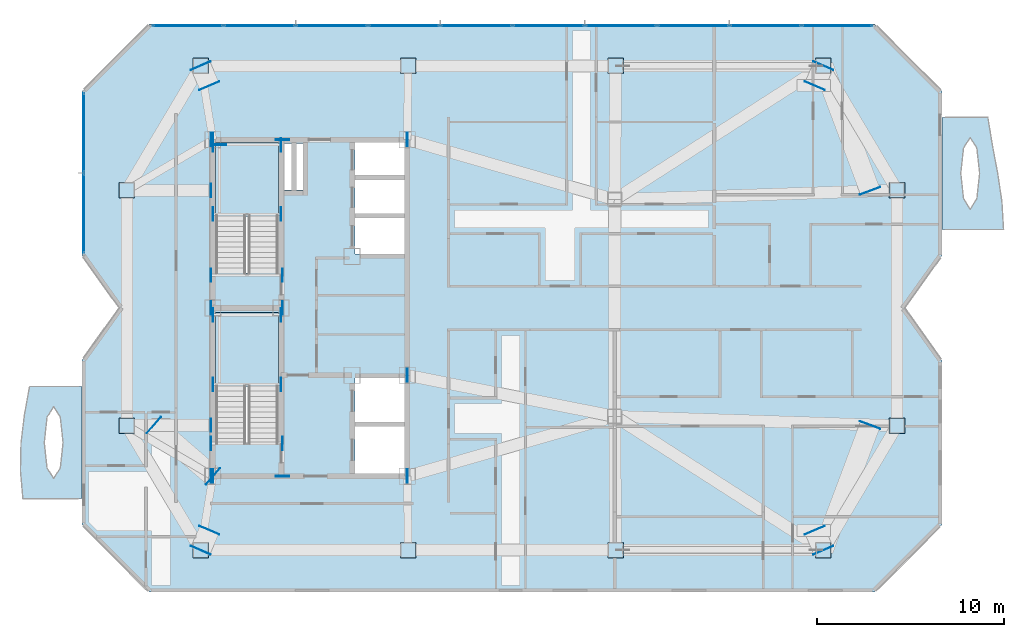
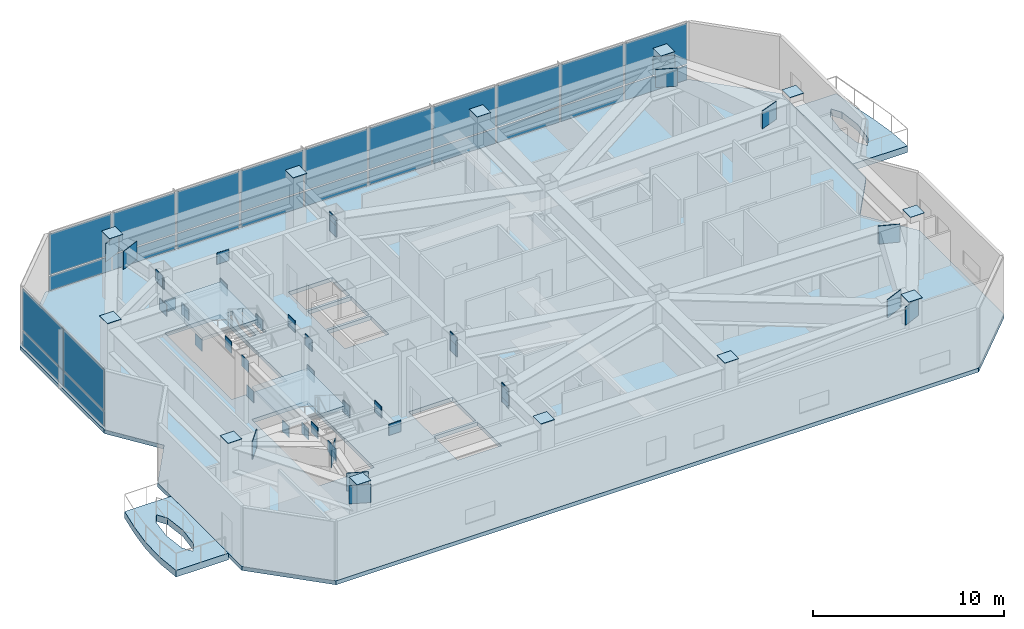
# One storey, part 7 of 16: 80 plates, 5 slabs, 4 elements without a shape of their own.
"""IFC4 building model written with IfcOpenShell, lengths in metres."""

from ifc_helpers import new_model, si_unit, direction, frame, origin, origin_2d, place, context, subcontext, project, spatial, polyline, rectangle, outline, extrude, material, layer, layer_set, type_object, element, aggregate, save


model = new_model("IFC4")

# Units and contexts
model_context = context("Model", 3, precision=1e-05, world=origin(), true_north=direction((0.0, 1.0)))
body_context = subcontext(model_context, "Body", "Model", "MODEL_VIEW")
ifc_project = project(units=[si_unit("LENGTHUNIT", "METRE"), si_unit("AREAUNIT", "SQUARE_METRE"), si_unit("VOLUMEUNIT", "CUBIC_METRE"), si_unit("PLANEANGLEUNIT", "RADIAN"), si_unit("MASSUNIT", "GRAM", prefix="KILO")], contexts=[model_context])

# Site, building, storey
site_placement = place(None, origin())
site = spatial("IfcSite", under=ifc_project, at=site_placement, CompositionType="ELEMENT")
building_placement = place(site_placement, origin())
building = spatial("IfcBuilding", under=site, at=building_placement, Name="Khamvora Tower", CompositionType="ELEMENT")
storey_placement = place(building_placement, frame((0.0, 0.0, 273.64990234375)))
storey = spatial("IfcBuildingStorey", under=building, at=storey_placement, Name="L70", CompositionType="ELEMENT", Elevation=273.64990234375)

# Curtain wall, plates
ifc_material_1 = material(Name="Anodised Aluminium 6063-T6", Category="aluminium")
curtain_wall_type = type_object("IfcCurtainWallType", Name="CW-SYS-06", PredefinedType="NOTDEFINED", material=ifc_material_1)
curtain_wall_1_placement = place(storey_placement, origin())
curtain_wall_1 = element("IfcCurtainWall", 1, at=curtain_wall_1_placement, inside=storey, type_object=curtain_wall_type, Name="L70 stick curtain wall 05.1", PredefinedType="NOTDEFINED")
ifc_material_2 = material(Name="Low-E Laminated Double Glazing", Category="glass")
ifc_layer_1 = layer(ifc_material_2, 0.0380859375)
ifc_layer_set_1 = layer_set([ifc_layer_1], Name="Low-E Laminated Double Glazing")
plate_type_1 = type_object("IfcPlateType", Name="CW-SYS-06-PNL", PredefinedType="CURTAIN_PANEL", material=ifc_layer_set_1)
plate_1_placement = place(storey_placement, frame((22.10009765625, 33.0712890625, 0.080078125), z_axis=(0.0, 0.0, 1.0), x_axis=(0.0, 1.0, 0.0)))
plate_1 = element("IfcPlate", 2, at=plate_1_placement, type_object=plate_type_1, Name="CW-06 panel 1.1", PredefinedType="CURTAIN_PANEL", context=body_context, shape_type="SweptSolid", body=[
    extrude(rectangle(XDim=4.218505859375, YDim=0.0380859375, at=origin_2d()), origin(), (0.0, 0.0, 1.0), 0.929931640625),
])
plate_2_placement = place(storey_placement, frame((22.10009765625, 33.0712890625, 1.08984375), z_axis=(0.0, 0.0, 1.0), x_axis=(0.0, 1.0, 0.0)))
plate_2 = element("IfcPlate", 3, at=plate_2_placement, type_object=plate_type_1, Name="CW-06 panel 1.2", PredefinedType="CURTAIN_PANEL", context=body_context, shape_type="SweptSolid", body=[
    extrude(rectangle(XDim=4.218505859375, YDim=0.0380859375, at=origin_2d()), origin(), (0.0, 0.0, 1.0), 2.610107421875),
])
plate_3_placement = place(storey_placement, frame((22.10009765625, 37.36962890625, 0.080078125), z_axis=(0.0, 0.0, 1.0), x_axis=(0.0, 1.0, 0.0)))
plate_3 = element("IfcPlate", 4, at=plate_3_placement, type_object=plate_type_1, Name="CW-06 panel 2.1", PredefinedType="CURTAIN_PANEL", context=body_context, shape_type="SweptSolid", body=[
    extrude(rectangle(XDim=4.218505859375, YDim=0.0380859375, at=origin_2d()), origin(), (0.0, 0.0, 1.0), 0.929931640625),
])
plate_4_placement = place(storey_placement, frame((22.10009765625, 37.36962890625, 1.08984375), z_axis=(0.0, 0.0, 1.0), x_axis=(0.0, 1.0, 0.0)))
plate_4 = element("IfcPlate", 5, at=plate_4_placement, type_object=plate_type_1, Name="CW-06 panel 2.2", PredefinedType="CURTAIN_PANEL", context=body_context, shape_type="SweptSolid", body=[
    extrude(rectangle(XDim=4.218505859375, YDim=0.0380859375, at=origin_2d()), origin(), (0.0, 0.0, 1.0), 2.610107421875),
])
aggregate(curtain_wall_1, [plate_1, plate_2, plate_3, plate_4])

curtain_wall_2_placement = place(storey_placement, origin())
curtain_wall_2 = element("IfcCurtainWall", 6, at=curtain_wall_2_placement, inside=storey, type_object=curtain_wall_type, Name="L70 stick curtain wall 07.1", PredefinedType="NOTDEFINED")
plate_5_placement = place(storey_placement, frame((27.65478515625, 43.10009765625, 0.080078125), z_axis=(0.0, 0.0, 1.0), x_axis=(1.0, 0.0, 0.0)))
plate_5 = element("IfcPlate", 7, at=plate_5_placement, type_object=plate_type_1, Name="CW-06 panel 1.1", PredefinedType="CURTAIN_PANEL", context=body_context, shape_type="SweptSolid", body=[
    extrude(rectangle(XDim=3.74560546875, YDim=0.0380859375, at=origin_2d()), origin(), (0.0, 0.0, 1.0), 0.929931640625),
])
plate_6_placement = place(storey_placement, frame((27.65478515625, 43.10009765625, 1.08984375), z_axis=(0.0, 0.0, 1.0), x_axis=(1.0, 0.0, 0.0)))
plate_6 = element("IfcPlate", 8, at=plate_6_placement, type_object=plate_type_1, Name="CW-06 panel 1.2", PredefinedType="CURTAIN_PANEL", context=body_context, shape_type="SweptSolid", body=[
    extrude(rectangle(XDim=3.74560546875, YDim=0.0380859375, at=origin_2d()), origin(), (0.0, 0.0, 1.0), 2.610107421875),
])
plate_7_placement = place(storey_placement, frame((31.50048828125, 43.10009765625, 0.080078125), z_axis=(0.0, 0.0, 1.0), x_axis=(1.0, 0.0, 0.0)))
plate_7 = element("IfcPlate", 9, at=plate_7_placement, type_object=plate_type_1, Name="CW-06 panel 2.1", PredefinedType="CURTAIN_PANEL", context=body_context, shape_type="SweptSolid", body=[
    extrude(rectangle(XDim=3.78564453125, YDim=0.0380859375, at=origin_2d()), origin(), (0.0, 0.0, 1.0), 0.929931640625),
])
plate_8_placement = place(storey_placement, frame((31.50048828125, 43.10009765625, 1.08984375), z_axis=(0.0, 0.0, 1.0), x_axis=(1.0, 0.0, 0.0)))
plate_8 = element("IfcPlate", 10, at=plate_8_placement, type_object=plate_type_1, Name="CW-06 panel 2.2", PredefinedType="CURTAIN_PANEL", context=body_context, shape_type="SweptSolid", body=[
    extrude(rectangle(XDim=3.78564453125, YDim=0.0380859375, at=origin_2d()), origin(), (0.0, 0.0, 1.0), 2.610107421875),
])
plate_9_placement = place(storey_placement, frame((35.3662109375, 43.10009765625, 0.080078125), z_axis=(0.0, 0.0, 1.0), x_axis=(1.0, 0.0, 0.0)))
plate_9 = element("IfcPlate", 11, at=plate_9_placement, type_object=plate_type_1, Name="CW-06 panel 3.1", PredefinedType="CURTAIN_PANEL", context=body_context, shape_type="SweptSolid", body=[
    extrude(rectangle(XDim=3.78564453125, YDim=0.0380859375, at=origin_2d()), origin(), (0.0, 0.0, 1.0), 0.929931640625),
])
plate_10_placement = place(storey_placement, frame((35.3662109375, 43.10009765625, 1.08984375), z_axis=(0.0, 0.0, 1.0), x_axis=(1.0, 0.0, 0.0)))
plate_10 = element("IfcPlate", 12, at=plate_10_placement, type_object=plate_type_1, Name="CW-06 panel 3.2", PredefinedType="CURTAIN_PANEL", context=body_context, shape_type="SweptSolid", body=[
    extrude(rectangle(XDim=3.78564453125, YDim=0.0380859375, at=origin_2d()), origin(), (0.0, 0.0, 1.0), 2.610107421875),
])
plate_11_placement = place(storey_placement, frame((39.23193359375, 43.10009765625, 0.080078125), z_axis=(0.0, 0.0, 1.0), x_axis=(1.0, 0.0, 0.0)))
plate_11 = element("IfcPlate", 13, at=plate_11_placement, type_object=plate_type_1, Name="CW-06 panel 4.1", PredefinedType="CURTAIN_PANEL", context=body_context, shape_type="SweptSolid", body=[
    extrude(rectangle(XDim=3.78564453125, YDim=0.0380859375, at=origin_2d()), origin(), (0.0, 0.0, 1.0), 0.929931640625),
])
plate_12_placement = place(storey_placement, frame((39.23193359375, 43.10009765625, 1.08984375), z_axis=(0.0, 0.0, 1.0), x_axis=(1.0, 0.0, 0.0)))
plate_12 = element("IfcPlate", 14, at=plate_12_placement, type_object=plate_type_1, Name="CW-06 panel 4.2", PredefinedType="CURTAIN_PANEL", context=body_context, shape_type="SweptSolid", body=[
    extrude(rectangle(XDim=3.78564453125, YDim=0.0380859375, at=origin_2d()), origin(), (0.0, 0.0, 1.0), 2.610107421875),
])
plate_13_placement = place(storey_placement, frame((43.09765625, 43.10009765625, 0.080078125), z_axis=(0.0, 0.0, 1.0), x_axis=(1.0, 0.0, 0.0)))
plate_13 = element("IfcPlate", 15, at=plate_13_placement, type_object=plate_type_1, Name="CW-06 panel 5.1", PredefinedType="CURTAIN_PANEL", context=body_context, shape_type="SweptSolid", body=[
    extrude(rectangle(XDim=3.78564453125, YDim=0.0380859375, at=origin_2d()), origin(), (0.0, 0.0, 1.0), 0.929931640625),
])
plate_14_placement = place(storey_placement, frame((43.09765625, 43.10009765625, 1.08984375), z_axis=(0.0, 0.0, 1.0), x_axis=(1.0, 0.0, 0.0)))
plate_14 = element("IfcPlate", 16, at=plate_14_placement, type_object=plate_type_1, Name="CW-06 panel 5.2", PredefinedType="CURTAIN_PANEL", context=body_context, shape_type="SweptSolid", body=[
    extrude(rectangle(XDim=3.78564453125, YDim=0.0380859375, at=origin_2d()), origin(), (0.0, 0.0, 1.0), 2.610107421875),
])
plate_15_placement = place(storey_placement, frame((46.96337890625, 43.10009765625, 0.080078125), z_axis=(0.0, 0.0, 1.0), x_axis=(1.0, 0.0, 0.0)))
plate_15 = element("IfcPlate", 17, at=plate_15_placement, type_object=plate_type_1, Name="CW-06 panel 6.1", PredefinedType="CURTAIN_PANEL", context=body_context, shape_type="SweptSolid", body=[
    extrude(rectangle(XDim=3.78564453125, YDim=0.0380859375, at=origin_2d()), origin(), (0.0, 0.0, 1.0), 0.929931640625),
])
plate_16_placement = place(storey_placement, frame((46.96337890625, 43.10009765625, 1.08984375), z_axis=(0.0, 0.0, 1.0), x_axis=(1.0, 0.0, 0.0)))
plate_16 = element("IfcPlate", 18, at=plate_16_placement, type_object=plate_type_1, Name="CW-06 panel 6.2", PredefinedType="CURTAIN_PANEL", context=body_context, shape_type="SweptSolid", body=[
    extrude(rectangle(XDim=3.78564453125, YDim=0.0380859375, at=origin_2d()), origin(), (0.0, 0.0, 1.0), 2.610107421875),
])
plate_17_placement = place(storey_placement, frame((50.8291015625, 43.10009765625, 0.080078125), z_axis=(0.0, 0.0, 1.0), x_axis=(1.0, 0.0, 0.0)))
plate_17 = element("IfcPlate", 19, at=plate_17_placement, type_object=plate_type_1, Name="CW-06 panel 7.1", PredefinedType="CURTAIN_PANEL", context=body_context, shape_type="SweptSolid", body=[
    extrude(rectangle(XDim=3.78564453125, YDim=0.0380859375, at=origin_2d()), origin(), (0.0, 0.0, 1.0), 0.929931640625),
])
plate_18_placement = place(storey_placement, frame((50.8291015625, 43.10009765625, 1.08984375), z_axis=(0.0, 0.0, 1.0), x_axis=(1.0, 0.0, 0.0)))
plate_18 = element("IfcPlate", 20, at=plate_18_placement, type_object=plate_type_1, Name="CW-06 panel 7.2", PredefinedType="CURTAIN_PANEL", context=body_context, shape_type="SweptSolid", body=[
    extrude(rectangle(XDim=3.78564453125, YDim=0.0380859375, at=origin_2d()), origin(), (0.0, 0.0, 1.0), 2.610107421875),
])
plate_19_placement = place(storey_placement, frame((54.69482421875, 43.10009765625, 0.080078125), z_axis=(0.0, 0.0, 1.0), x_axis=(1.0, 0.0, 0.0)))
plate_19 = element("IfcPlate", 21, at=plate_19_placement, type_object=plate_type_1, Name="CW-06 panel 8.1", PredefinedType="CURTAIN_PANEL", context=body_context, shape_type="SweptSolid", body=[
    extrude(rectangle(XDim=3.78564453125, YDim=0.0380859375, at=origin_2d()), origin(), (0.0, 0.0, 1.0), 0.929931640625),
])
plate_20_placement = place(storey_placement, frame((54.69482421875, 43.10009765625, 1.08984375), z_axis=(0.0, 0.0, 1.0), x_axis=(1.0, 0.0, 0.0)))
plate_20 = element("IfcPlate", 22, at=plate_20_placement, type_object=plate_type_1, Name="CW-06 panel 8.2", PredefinedType="CURTAIN_PANEL", context=body_context, shape_type="SweptSolid", body=[
    extrude(rectangle(XDim=3.78564453125, YDim=0.0380859375, at=origin_2d()), origin(), (0.0, 0.0, 1.0), 2.610107421875),
])
plate_21_placement = place(storey_placement, frame((58.560546875, 43.10009765625, 0.080078125), z_axis=(0.0, 0.0, 1.0), x_axis=(1.0, 0.0, 0.0)))
plate_21 = element("IfcPlate", 23, at=plate_21_placement, type_object=plate_type_1, Name="CW-06 panel 9.1", PredefinedType="CURTAIN_PANEL", context=body_context, shape_type="SweptSolid", body=[
    extrude(rectangle(XDim=3.78564453125, YDim=0.0380859375, at=origin_2d()), origin(), (0.0, 0.0, 1.0), 0.929931640625),
])
plate_22_placement = place(storey_placement, frame((58.560546875, 43.10009765625, 1.08984375), z_axis=(0.0, 0.0, 1.0), x_axis=(1.0, 0.0, 0.0)))
plate_22 = element("IfcPlate", 24, at=plate_22_placement, type_object=plate_type_1, Name="CW-06 panel 9.2", PredefinedType="CURTAIN_PANEL", context=body_context, shape_type="SweptSolid", body=[
    extrude(rectangle(XDim=3.78564453125, YDim=0.0380859375, at=origin_2d()), origin(), (0.0, 0.0, 1.0), 2.610107421875),
])
plate_23_placement = place(storey_placement, frame((62.40625, 43.10009765625, 0.080078125), z_axis=(0.0, 0.0, 1.0), x_axis=(1.0, 0.0, 0.0)))
plate_23 = element("IfcPlate", 25, at=plate_23_placement, type_object=plate_type_1, Name="CW-06 panel 10.1", PredefinedType="CURTAIN_PANEL", context=body_context, shape_type="SweptSolid", body=[
    extrude(rectangle(XDim=3.74560546875, YDim=0.0380859375, at=origin_2d()), origin(), (0.0, 0.0, 1.0), 0.929931640625),
])
plate_24_placement = place(storey_placement, frame((62.40625, 43.10009765625, 1.08984375), z_axis=(0.0, 0.0, 1.0), x_axis=(1.0, 0.0, 0.0)))
plate_24 = element("IfcPlate", 26, at=plate_24_placement, type_object=plate_type_1, Name="CW-06 panel 10.2", PredefinedType="CURTAIN_PANEL", context=body_context, shape_type="SweptSolid", body=[
    extrude(rectangle(XDim=3.74560546875, YDim=0.0380859375, at=origin_2d()), origin(), (0.0, 0.0, 1.0), 2.610107421875),
])
aggregate(curtain_wall_2, [plate_5, plate_6, plate_7, plate_8, plate_9, plate_10, plate_11, plate_12, plate_13, plate_14, plate_15, plate_16, plate_17, plate_18, plate_19, plate_20, plate_21, plate_22, plate_23, plate_24])

# Plates
ifc_material_3 = material(Name="Steel S355", Category="steel")
ifc_layer_2 = layer(ifc_material_3, 0.02490234375)
ifc_layer_set_2 = layer_set([ifc_layer_2], Name="Steel S355")
plate_type_2 = type_object("IfcPlateType", Name="PL-CAP-25", PredefinedType="SHEET", material=ifc_layer_set_2)
for number, where, z_axis, x_axis, name in (
    (27, (28.35009765625, 15.050048828125, 4.175537109375), (0.0, 0.0, 1.0), (1.0, 0.0, 0.0), "L70 hollow section steel end cap plate 0259"),
    (28, (39.449951171875, 15.050048828125, 4.175537109375), (0.0, 0.0, 1.0), (1.0, 0.0, 0.0), "L70 hollow section steel end cap plate 0261"),
    (29, (50.550048828125, 15.050048828125, 4.175537109375), (0.0, 0.0, 1.0), (1.0, 0.0, 0.0), "L70 hollow section steel end cap plate 0263"),
    (30, (61.64990234375, 15.050048828125, 4.175537109375), (0.0, 0.0, 1.0), (1.0, 0.0, 0.0), "L70 hollow section steel end cap plate 0265"),
    (31, (28.35009765625, 40.949951171875, 4.175537109375), (0.0, 0.0, 1.0), (1.0, 0.0, 0.0), "L70 hollow section steel end cap plate 0267"),
    (32, (39.449951171875, 40.949951171875, 4.175537109375), (0.0, 0.0, 1.0), (1.0, 0.0, 0.0), "L70 hollow section steel end cap plate 0269"),
    (33, (50.550048828125, 40.949951171875, 4.175537109375), (0.0, 0.0, 1.0), (1.0, 0.0, 0.0), "L70 hollow section steel end cap plate 0271"),
    (34, (61.64990234375, 40.949951171875, 4.175537109375), (0.0, 0.0, 1.0), (1.0, 0.0, 0.0), "L70 hollow section steel end cap plate 0273"),
    (35, (24.39990234375, 21.699951171875, 4.175537109375), (0.0, 0.0, 1.0), (1.0, 0.0, 0.0), "L70 hollow section steel end cap plate 0275"),
    (36, (24.39990234375, 34.300048828125, 4.175537109375), (0.0, 0.0, 1.0), (1.0, 0.0, 0.0), "L70 hollow section steel end cap plate 0277"),
    (37, (65.60009765625, 21.699951171875, 4.175537109375), (0.0, 0.0, 1.0), (1.0, 0.0, 0.0), "L70 hollow section steel end cap plate 0279"),
    (38, (65.60009765625, 34.300048828125, 4.175537109375), (0.0, 0.0, 1.0), (1.0, 0.0, 0.0), "L70 hollow section steel end cap plate 0281"),
):
    element("IfcPlate", number, at=place(storey_placement, frame(where, z_axis=z_axis, x_axis=x_axis)), inside=storey, type_object=plate_type_2, Name=name, PredefinedType="SHEET", context=body_context, shape_type="SweptSolid", body=[
        extrude(rectangle(XDim=0.830078125, YDim=0.830078125, at=origin_2d()), origin(), (0.0, 0.0, 1.0), 0.02490234375),
    ])
for number, where, z_axis, x_axis, name in (
    (39, (28.344970703125, 15.0390625, 2.64990234375), (0.0, 0.0, 1.0), (0.393925867593, 0.919142214699, 0.0), "L70 hollow section steel end cap plate 1223"),
    (40, (28.804931640625, 16.111083984375, 2.64990234375), (0.0, 0.0, 1.0), (0.393925867593, 0.919142214699, 0.0), "L70 hollow section steel end cap plate 1224"),
    (41, (61.655029296875, 15.0390625, 2.64990234375), (0.0, 0.0, 1.0), (-0.393925867593, 0.919142214699, 0.0), "L70 hollow section steel end cap plate 1225"),
    (42, (61.195068359375, 16.111083984375, 2.64990234375), (0.0, 0.0, 1.0), (-0.393925867593, 0.919142214699, 0.0), "L70 hollow section steel end cap plate 1226"),
    (43, (28.344970703125, 40.9609375, 2.64990234375), (0.0, 0.0, 1.0), (0.393925867593, -0.919142214699, 0.0), "L70 hollow section steel end cap plate 1227"),
    (44, (28.804931640625, 39.888916015625, 2.64990234375), (0.0, 0.0, 1.0), (0.393925867593, -0.919142214699, 0.0), "L70 hollow section steel end cap plate 1228"),
    (45, (61.655029296875, 40.9609375, 2.64990234375), (0.0, 0.0, 1.0), (-0.393925867593, -0.919142214699, 0.0), "L70 hollow section steel end cap plate 1229"),
    (46, (61.195068359375, 39.888916015625, 2.64990234375), (0.0, 0.0, 1.0), (-0.393925867593, -0.919142214699, 0.0), "L70 hollow section steel end cap plate 1230"),
    (47, (29.009033203125, 18.991943359375, 2.64990234375), (0.0, 0.0, 1.0), (-0.75628754345, 0.65423936875, 0.0), "L70 hollow section steel end cap plate 1231"),
    (48, (25.841064453125, 21.73291015625, 2.64990234375), (0.0, 0.0, 1.0), (-0.75628754345, 0.65423936875, 0.0), "L70 hollow section steel end cap plate 1232"),
    (49, (64.154052734375, 21.737060546875, 2.64990234375), (0.0, 0.0, 1.0), (0.350746807595, 0.936470328928, 0.0), "L70 hollow section steel end cap plate 1233"),
    (50, (64.154052734375, 34.262939453125, 2.64990234375), (0.0, 0.0, 1.0), (0.350746807595, -0.936470328928, 0.0), "L70 hollow section steel end cap plate 1234"),
):
    element("IfcPlate", number, at=place(storey_placement, frame(where, z_axis=z_axis, x_axis=x_axis)), inside=storey, type_object=plate_type_2, Name=name, PredefinedType="SHEET", context=body_context, shape_type="SweptSolid", body=[
        extrude(rectangle(XDim=0.02490234375, YDim=1.159912109375, at=origin_2d()), origin(), (0.0, 0.0, 1.0), 1.159912109375),
    ])
ifc_material_4 = material(Name="Steel S460", Category="steel")
ifc_layer_3 = layer(ifc_material_4, 0.034912109375)
ifc_layer_set_3 = layer_set([ifc_layer_3], Name="Steel S460")
plate_type_3 = type_object("IfcPlateType", Name="PL-EMB-35", PredefinedType="SHEET", material=ifc_layer_set_3)
for number, where, z_axis, x_axis, name in (
    (51, (29.0, 23.9150390625, 1.4091796875), (0.0, 0.0, 1.0), (1.0, 0.0, 0.0), "L70 core shear wall cast-in embed plate 2038"),
    (52, (32.64990234375, 23.9150390625, 1.4091796875), (0.0, 0.0, 1.0), (1.0, 0.0, 0.0), "L70 core shear wall cast-in embed plate 2039"),
    (53, (29.0, 27.6298828125, 1.4091796875), (0.0, 0.0, 1.0), (1.0, 0.0, 0.0), "L70 core shear wall cast-in embed plate 2040"),
    (54, (32.64990234375, 27.6298828125, 1.4091796875), (0.0, 0.0, 1.0), (1.0, 0.0, 0.0), "L70 core shear wall cast-in embed plate 2041"),
    (55, (29.0, 33.014892578125, 1.4091796875), (0.0, 0.0, 1.0), (1.0, 0.0, 0.0), "L70 core shear wall cast-in embed plate 2042"),
    (56, (32.64990234375, 33.014892578125, 1.4091796875), (0.0, 0.0, 1.0), (1.0, 0.0, 0.0), "L70 core shear wall cast-in embed plate 2043"),
    (57, (29.0, 36.72998046875, 1.4091796875), (0.0, 0.0, 1.0), (1.0, 0.0, 0.0), "L70 core shear wall cast-in embed plate 2044"),
    (58, (32.64990234375, 36.72998046875, 1.4091796875), (0.0, 0.0, 1.0), (1.0, 0.0, 0.0), "L70 core shear wall cast-in embed plate 2045"),
):
    element("IfcPlate", number, at=place(storey_placement, frame(where, z_axis=z_axis, x_axis=x_axis)), inside=storey, type_object=plate_type_3, Name=name, PredefinedType="SHEET", context=body_context, shape_type="SweptSolid", body=[
        extrude(rectangle(XDim=0.034912109375, YDim=0.719970703125, at=origin_2d()), origin(), (0.0, 0.0, 1.0), 0.719970703125),
    ])
plate_25_placement = place(storey_placement, frame((29.35009765625, 36.72998046875, 1.4091796875), z_axis=(0.0, 0.0, 1.0), x_axis=(1.0, 0.0, 0.0)))
element("IfcPlate", 59, at=plate_25_placement, inside=storey, type_object=plate_type_3, Name="L70 core shear wall cast-in embed plate 2046", PredefinedType="SHEET", context=body_context, shape_type="SweptSolid", body=[
    extrude(rectangle(XDim=0.719970703125, YDim=0.034912109375, at=origin_2d()), origin(), (0.0, 0.0, 1.0), 0.719970703125),
])
for number, where, z_axis, x_axis, name in (
    (60, (29.0, 19.0, 2.9541015625), (0.0, 0.0, 1.0), (1.0, 0.0, 0.0), "L70 core shear wall cast-in embed plate 2047"),
    (61, (39.39990234375, 19.0, 2.9541015625), (0.0, 0.0, 1.0), (1.0, 0.0, 0.0), "L70 core shear wall cast-in embed plate 2048"),
    (62, (29.0, 37.0, 2.9541015625), (0.0, 0.0, 1.0), (1.0, 0.0, 0.0), "L70 core shear wall cast-in embed plate 2049"),
    (63, (39.39990234375, 37.0, 2.9541015625), (0.0, 0.0, 1.0), (1.0, 0.0, 0.0), "L70 core shear wall cast-in embed plate 2050"),
    (64, (39.39990234375, 24.39990234375, 2.64501953125), (0.0, 0.0, 1.0), (1.0, 0.0, 0.0), "L70 core shear wall cast-in embed plate 2051"),
    (65, (39.39990234375, 37.0, 2.64501953125), (0.0, 0.0, 1.0), (1.0, 0.0, 0.0), "L70 core shear wall cast-in embed plate 2052"),
    (66, (28.89990234375, 19.0, 3.1533203125), (0.0, 0.0, 1.0), (1.0, 0.0, 0.0), "L70 core shear wall cast-in embed plate 2053"),
    (67, (28.89990234375, 28.0, 3.1533203125), (0.0, 0.0, 1.0), (1.0, 0.0, 0.0), "L70 core shear wall cast-in embed plate 2054"),
    (68, (28.89990234375, 37.0, 3.1533203125), (0.0, 0.0, 1.0), (1.0, 0.0, 0.0), "L70 core shear wall cast-in embed plate 2055"),
):
    element("IfcPlate", number, at=place(storey_placement, frame(where, z_axis=z_axis, x_axis=x_axis)), inside=storey, type_object=plate_type_3, Name=name, PredefinedType="SHEET", context=body_context, shape_type="SweptSolid", body=[
        extrude(rectangle(XDim=0.034912109375, YDim=0.719970703125, at=origin_2d()), origin(), (0.0, 0.0, 1.0), 0.719970703125),
    ])
plate_26_placement = place(storey_placement, frame((32.72998046875, 19.0, 3.1533203125), z_axis=(0.0, 0.0, 1.0), x_axis=(1.0, 0.0, 0.0)))
element("IfcPlate", 69, at=plate_26_placement, inside=storey, type_object=plate_type_3, Name="L70 core shear wall cast-in embed plate 2056", PredefinedType="SHEET", context=body_context, shape_type="SweptSolid", body=[
    extrude(rectangle(XDim=0.719970703125, YDim=0.034912109375, at=origin_2d()), origin(), (0.0, 0.0, 1.0), 0.719970703125),
])
plate_27_placement = place(storey_placement, frame((32.72998046875, 28.0, 3.1533203125), z_axis=(0.0, 0.0, 1.0), x_axis=(1.0, 0.0, 0.0)))
element("IfcPlate", 70, at=plate_27_placement, inside=storey, type_object=plate_type_3, Name="L70 core shear wall cast-in embed plate 2057", PredefinedType="SHEET", context=body_context, shape_type="SweptSolid", body=[
    extrude(rectangle(XDim=0.034912109375, YDim=0.719970703125, at=origin_2d()), origin(), (0.0, 0.0, 1.0), 0.719970703125),
])
plate_28_placement = place(storey_placement, frame((32.72998046875, 37.0, 3.1533203125), z_axis=(0.0, 0.0, 1.0), x_axis=(1.0, 0.0, 0.0)))
element("IfcPlate", 71, at=plate_28_placement, inside=storey, type_object=plate_type_3, Name="L70 core shear wall cast-in embed plate 2058", PredefinedType="SHEET", context=body_context, shape_type="SweptSolid", body=[
    extrude(rectangle(XDim=0.719970703125, YDim=0.034912109375, at=origin_2d()), origin(), (0.0, 0.0, 1.0), 0.719970703125),
])
for number, where, z_axis, x_axis, name in (
    (72, (39.39990234375, 19.0, 3.1533203125), (0.0, 0.0, 1.0), (1.0, 0.0, 0.0), "L70 core shear wall cast-in embed plate 2059"),
    (73, (39.39990234375, 24.39990234375, 3.1533203125), (0.0, 0.0, 1.0), (1.0, 0.0, 0.0), "L70 core shear wall cast-in embed plate 2060"),
    (74, (39.39990234375, 37.0, 3.1533203125), (0.0, 0.0, 1.0), (1.0, 0.0, 0.0), "L70 core shear wall cast-in embed plate 2061"),
    (75, (28.89990234375, 20.75, 3.2939453125), (0.0, 0.0, 1.0), (1.0, 0.0, 0.0), "L70 core shear wall cast-in embed plate 2062"),
    (76, (32.72998046875, 20.75, 3.2939453125), (0.0, 0.0, 1.0), (1.0, 0.0, 0.0), "L70 core shear wall cast-in embed plate 2063"),
    (77, (28.89990234375, 29.75, 3.2939453125), (0.0, 0.0, 1.0), (1.0, 0.0, 0.0), "L70 core shear wall cast-in embed plate 2064"),
    (78, (32.72998046875, 29.75, 3.2939453125), (0.0, 0.0, 1.0), (1.0, 0.0, 0.0), "L70 core shear wall cast-in embed plate 2065"),
    (79, (39.39990234375, 19.0, 2.64501953125), (0.0, 0.0, 1.0), (1.0, 0.0, 0.0), "L70 core shear wall cast-in embed plate 2066"),
    (80, (28.89990234375, 21.72509765625, 2.64501953125), (0.0, 0.0, 1.0), (1.0, 0.0, 0.0), "L70 core shear wall cast-in embed plate 2067"),
    (81, (28.89990234375, 34.27490234375, 2.64501953125), (0.0, 0.0, 1.0), (1.0, 0.0, 0.0), "L70 core shear wall cast-in embed plate 2068"),
    (82, (29.0, 19.0, 2.8701171875), (0.0, 0.0, 1.0), (1.0, 0.0, 0.0), "L70 core shear wall cast-in embed plate 2069"),
):
    element("IfcPlate", number, at=place(storey_placement, frame(where, z_axis=z_axis, x_axis=x_axis)), inside=storey, type_object=plate_type_3, Name=name, PredefinedType="SHEET", context=body_context, shape_type="SweptSolid", body=[
        extrude(rectangle(XDim=0.034912109375, YDim=0.719970703125, at=origin_2d()), origin(), (0.0, 0.0, 1.0), 0.719970703125),
    ])

# Slabs
ifc_material_5 = material(Name="Concrete C35/45", Category="concrete")
ifc_layer_4 = layer(ifc_material_5, 0.25)
ifc_layer_set_4 = layer_set([ifc_layer_4], Name="Concrete C35/45")
slab_type_1 = type_object("IfcSlabType", Name="SLB-CRN-250", PredefinedType="FLOOR", material=ifc_layer_set_4)
slab_1_placement = place(storey_placement, frame((0.0, 0.0, -0.25)))
element("IfcSlab", 83, at=slab_1_placement, inside=storey, type_object=slab_type_1, Name="L70 structural floor slab", PredefinedType="FLOOR", context=body_context, shape_type="SweptSolid", body=[
    extrude(outline(polyline([(25.60009765625, 12.800048828125), (64.39990234375, 12.800048828125), (68.0, 16.39990234375), (68.0, 25.199951171875), (66.0, 28.0), (68.0, 30.800048828125), (68.0, 39.60009765625), (64.39990234375, 43.199951171875), (25.60009765625, 43.199951171875), (22.0, 39.60009765625), (22.0, 30.800048828125), (24.0, 28.0), (22.0, 25.199951171875), (22.0, 16.39990234375), (25.60009765625, 12.800048828125)]), holes=[polyline([(32.5, 20.760009765625), (32.5, 27.75), (29.14990234375, 27.75), (29.14990234375, 20.760009765625), (32.5, 20.760009765625)]), polyline([(32.5, 29.860107421875), (32.5, 36.85009765625), (29.14990234375, 36.85009765625), (29.14990234375, 29.860107421875), (32.5, 29.860107421875)]), polyline([(36.60009765625, 19.14990234375), (39.25, 19.14990234375), (39.25, 21.64990234375), (36.60009765625, 21.64990234375), (36.60009765625, 19.14990234375)]), polyline([(36.60009765625, 21.800048828125), (39.25, 21.800048828125), (39.25, 24.25), (36.60009765625, 24.25), (36.60009765625, 21.800048828125)]), polyline([(36.60009765625, 30.89990234375), (39.25, 30.89990234375), (39.25, 32.800048828125), (36.60009765625, 32.800048828125), (36.60009765625, 30.89990234375)]), polyline([(36.60009765625, 32.949951171875), (39.25, 32.949951171875), (39.25, 34.85009765625), (36.60009765625, 34.85009765625), (36.60009765625, 32.949951171875)]), polyline([(36.60009765625, 35.0), (39.25, 35.0), (39.25, 36.85009765625), (36.60009765625, 36.85009765625), (36.60009765625, 35.0)]), polyline([(32.800048828125, 34.300048828125), (33.199951171875, 34.300048828125), (33.199951171875, 36.800048828125), (32.800048828125, 36.800048828125), (32.800048828125, 34.300048828125)]), polyline([(33.47998046875, 34.300048828125), (33.820068359375, 34.300048828125), (33.820068359375, 36.800048828125), (33.47998046875, 36.800048828125), (33.47998046875, 34.300048828125)])]), origin(), (0.0, 0.0, 1.0), 0.25),
])
ifc_material_6 = material(Name="Concrete C40/50", Category="concrete")
ifc_layer_5 = layer(ifc_material_6, 0.419921875)
ifc_layer_set_5 = layer_set([ifc_layer_5], Name="Concrete C40/50")
slab_type_2 = type_object("IfcSlabType", Name="SLB-GRD-420", PredefinedType="FLOOR", material=ifc_layer_set_5)
slab_2_placement = place(storey_placement, frame((0.0, 0.0, -0.419921875)))
element("IfcSlab", 84, at=slab_2_placement, inside=storey, type_object=slab_type_2, Name="L70 external lens gallery slab EL2", PredefinedType="FLOOR", context=body_context, shape_type="SweptSolid", body=[
    extrude(outline(polyline([(71.300048828125, 32.199951171875), (71.2099609375, 33.699951171875), (70.986083984375, 35.199951171875), (70.702880859375, 36.699951171875), (70.4580078125, 38.199951171875), (68.0, 38.199951171875), (68.0, 32.199951171875), (71.300048828125, 32.199951171875)]), holes=[polyline([(70.01904296875, 35.199951171875), (69.87109375, 36.55810546875), (69.514892578125, 37.1201171875), (69.158935546875, 36.55810546875), (69.010986328125, 35.199951171875), (69.158935546875, 33.842041015625), (69.514892578125, 33.280029296875), (69.87109375, 33.842041015625), (70.01904296875, 35.199951171875)])]), origin(), (0.0, 0.0, 1.0), 0.419921875),
])
slab_3_placement = place(storey_placement, frame((0.0, 0.0, -0.419921875)))
element("IfcSlab", 85, at=slab_3_placement, inside=storey, type_object=slab_type_2, Name="L70 external lens gallery slab WL1", PredefinedType="FLOOR", context=body_context, shape_type="SweptSolid", body=[
    extrude(outline(polyline([(22.0, 17.800048828125), (22.0, 23.800048828125), (19.195068359375, 23.800048828125), (18.923095703125, 22.300048828125), (18.739990234375, 20.800048828125), (18.7080078125, 19.300048828125), (18.837890625, 17.800048828125), (22.0, 17.800048828125)]), holes=[polyline([(20.989013671875, 20.800048828125), (20.841064453125, 22.157958984375), (20.485107421875, 22.719970703125), (20.12890625, 22.157958984375), (19.98095703125, 20.800048828125), (20.12890625, 19.44189453125), (20.485107421875, 18.8798828125), (20.841064453125, 19.44189453125), (20.989013671875, 20.800048828125)])]), origin(), (0.0, 0.0, 1.0), 0.419921875),
])

# Stair, slab
stair_type_1 = type_object("IfcStairType", Name="STR-ST-01", PredefinedType="HALF_TURN_STAIR", material=ifc_material_6)
stair_1_placement = place(storey_placement, origin())
stair_1 = element("IfcStair", 86, at=stair_1_placement, inside=storey, type_object=stair_type_1, Name="L70 South Tower Exit Stair ST-01", PredefinedType="HALF_TURN_STAIR")
ifc_layer_6 = layer(ifc_material_6, 0.199951171875)
ifc_layer_set_6 = layer_set([ifc_layer_6], Name="Concrete C40/50")
slab_type_3 = type_object("IfcSlabType", Name="SLB-LND-200", PredefinedType="LANDING", material=ifc_layer_set_6)
slab_4_placement = place(storey_placement, frame((0.0, 0.0, 1.900146484375)))
slab_4 = element("IfcSlab", 87, at=slab_4_placement, type_object=slab_type_3, Name="ST-01 landing 1", PredefinedType="LANDING", context=body_context, shape_type="SweptSolid", body=[
    extrude(outline(polyline([(32.5, 23.794921875), (32.5, 27.75), (29.14990234375, 27.75), (29.14990234375, 23.794921875), (32.5, 23.794921875)])), origin(), (0.0, 0.0, 1.0), 0.199951171875),
])
aggregate(stair_1, [slab_4])

stair_type_2 = type_object("IfcStairType", Name="STR-ST-02", PredefinedType="HALF_TURN_STAIR", material=ifc_material_6)
stair_2_placement = place(storey_placement, origin())
stair_2 = element("IfcStair", 88, at=stair_2_placement, inside=storey, type_object=stair_type_2, Name="L70 North Tower Exit Stair ST-02", PredefinedType="HALF_TURN_STAIR")
slab_5_placement = place(storey_placement, frame((0.0, 0.0, 1.900146484375)))
slab_5 = element("IfcSlab", 89, at=slab_5_placement, type_object=slab_type_3, Name="ST-02 landing 1", PredefinedType="LANDING", context=body_context, shape_type="SweptSolid", body=[
    extrude(outline(polyline([(32.5, 32.89501953125), (32.5, 36.85009765625), (29.14990234375, 36.85009765625), (29.14990234375, 32.89501953125), (32.5, 32.89501953125)])), origin(), (0.0, 0.0, 1.0), 0.199951171875),
])
aggregate(stair_2, [slab_5])

save(model, "model.ifc")
